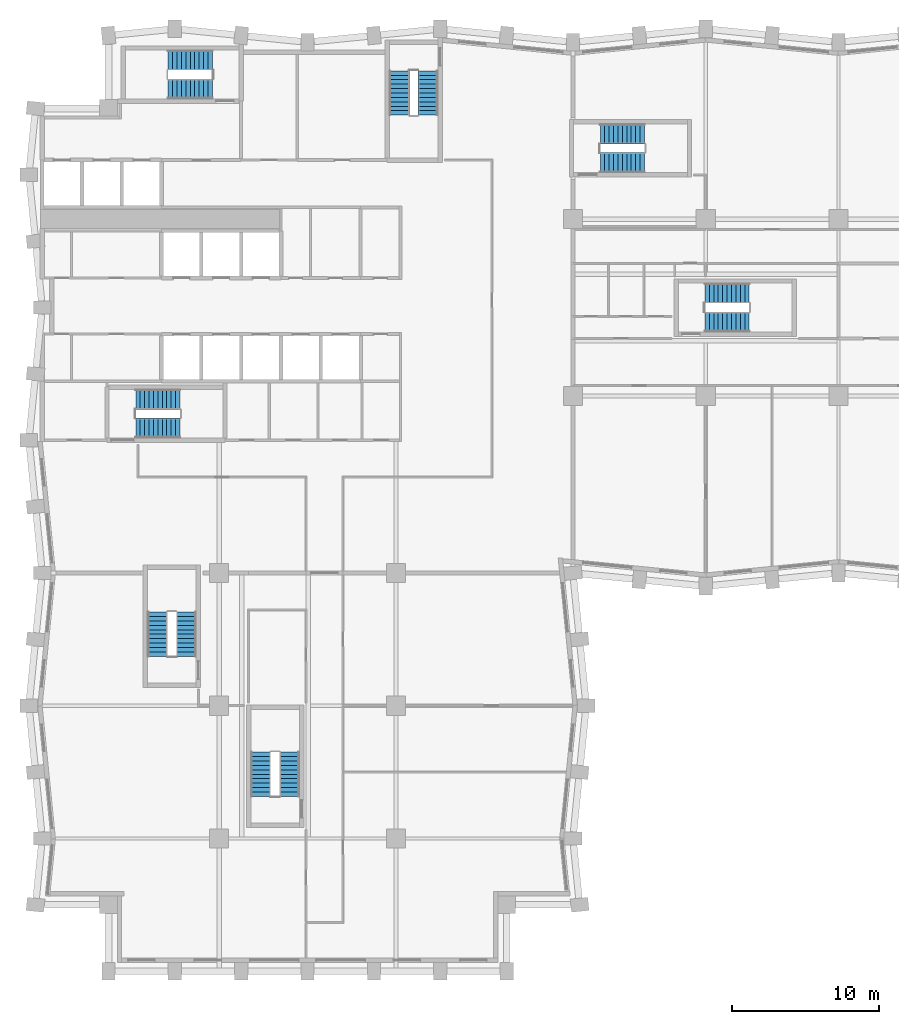
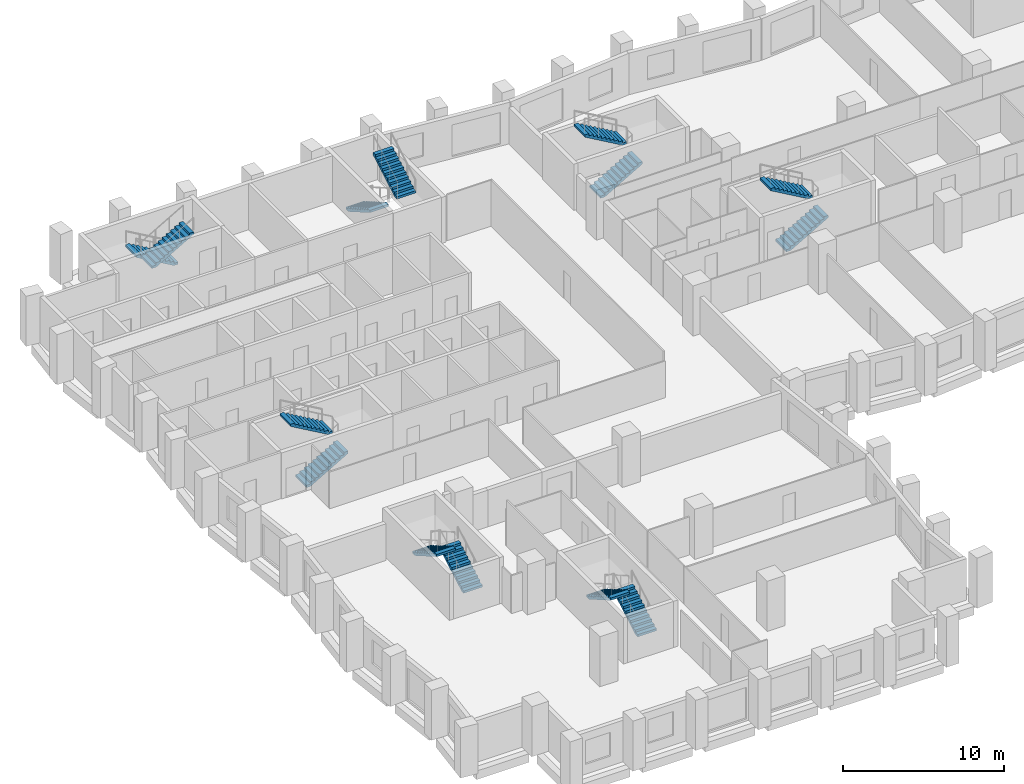
# One storey, part 9 of 11: 14 stair flights, 7 elements without a shape of their own.
"""IFC4 building model written with IfcOpenShell, lengths in metres."""

from ifc_helpers import new_model, si_unit, direction, frame, origin, place, context, subcontext, project, spatial, polyline, outline, extrude, material, type_object, element, aggregate, save


model = new_model("IFC4")

# Units and contexts
model_context = context("Model", 3, precision=1e-05, world=origin(), true_north=direction((0.0, 1.0)))
body_context = subcontext(model_context, "Body", "Model", "MODEL_VIEW")
ifc_project = project(units=[si_unit("LENGTHUNIT", "METRE"), si_unit("AREAUNIT", "SQUARE_METRE"), si_unit("VOLUMEUNIT", "CUBIC_METRE"), si_unit("PLANEANGLEUNIT", "RADIAN"), si_unit("MASSUNIT", "GRAM", prefix="KILO")], contexts=[model_context])

# Site, building, storey
site_placement = place(None, origin())
site = spatial("IfcSite", under=ifc_project, at=site_placement, CompositionType="ELEMENT")
building_placement = place(site_placement, origin())
building = spatial("IfcBuilding", under=site, at=building_placement, Name="Brondeck Convention Tower", CompositionType="ELEMENT")
storey_placement = place(building_placement, frame((0.0, 0.0, 96.10009765625)))
storey = spatial("IfcBuildingStorey", under=building, at=storey_placement, Name="L22", CompositionType="ELEMENT", Elevation=96.10009765625)

# Stair, stair flights
ifc_material = material(Name="Precast concrete C50/60", Category="concrete")
stair_type = type_object("IfcStairType", Name="Core stair 22 risers 172.73 mm riser 300 mm going 1350 wide", PredefinedType="HALF_TURN_STAIR", material=ifc_material)
stair_1_placement = place(storey_placement, origin())
stair_1 = element("IfcStair", 1, at=stair_1_placement, inside=storey, type_object=stair_type, Name="ST-1 L22 stair", PredefinedType="HALF_TURN_STAIR")
stair_flight_type = type_object("IfcStairFlightType", Name="Core stair flight 22 risers 172.73 mm riser 300 mm going 1350 wide", PredefinedType="STRAIGHT", material=ifc_material)
stair_flight_1_placement = place(storey_placement, frame((6.35009765625, 36.824951171875, 0.0), z_axis=(0.0, 0.0, 1.0), x_axis=(1.0, 0.0, 0.0)))
stair_flight_1 = element("IfcStairFlight", 2, at=stair_flight_1_placement, type_object=stair_flight_type, Name="ST-1 flight 1", NumberOfRisers=11, NumberOfTreads=10, PredefinedType="STRAIGHT", RiserHeight=0.172727273, TreadLength=0.3, context=body_context, shape_type="SweptSolid", body=[
    extrude(outline(polyline([(0.0, 0.0), (0.0, 0.172607421875), (0.300048828125, 0.172607421875), (0.300048828125, 0.345458984375), (0.60009765625, 0.345458984375), (0.60009765625, 0.51806640625), (0.89990234375, 0.51806640625), (0.89990234375, 0.69091796875), (1.199951171875, 0.69091796875), (1.199951171875, 0.863525390625), (1.5, 0.863525390625), (1.5, 1.036376953125), (1.800048828125, 1.036376953125), (1.800048828125, 1.208984375), (2.10009765625, 1.208984375), (2.10009765625, 1.3818359375), (2.39990234375, 1.3818359375), (2.39990234375, 1.554443359375), (2.699951171875, 1.554443359375), (2.699951171875, 1.727294921875), (3.0, 1.727294921875), (3.0, 1.89990234375), (3.0, 1.55419921875), (0.300537109375, 0.0), (0.0, 0.0)])), frame((0.0, 0.675048828125, 0.0), z_axis=(0.0, -1.0, 0.0), x_axis=(1.0, 0.0, 0.0)), (0.0, 0.0, 1.0), 1.35009765625),
])
stair_flight_2_placement = place(storey_placement, frame((9.35009765625, 38.77490234375, 1.89990234375), z_axis=(0.0, 0.0, 1.0), x_axis=(-1.0, 0.0, 0.0)))
stair_flight_2 = element("IfcStairFlight", 3, at=stair_flight_2_placement, type_object=stair_flight_type, Name="ST-1 flight 2", NumberOfRisers=11, NumberOfTreads=10, PredefinedType="STRAIGHT", RiserHeight=0.172727273, TreadLength=0.3, context=body_context, shape_type="SweptSolid", body=[
    extrude(outline(polyline([(0.0, 0.0), (0.0, 0.172607421875), (0.300048828125, 0.172607421875), (0.300048828125, 0.345458984375), (0.60009765625, 0.345458984375), (0.60009765625, 0.51806640625), (0.89990234375, 0.51806640625), (0.89990234375, 0.69091796875), (1.199951171875, 0.69091796875), (1.199951171875, 0.863525390625), (1.5, 0.863525390625), (1.5, 1.036376953125), (1.800048828125, 1.036376953125), (1.800048828125, 1.208984375), (2.10009765625, 1.208984375), (2.10009765625, 1.3818359375), (2.39990234375, 1.3818359375), (2.39990234375, 1.554443359375), (2.699951171875, 1.554443359375), (2.699951171875, 1.727294921875), (3.0, 1.727294921875), (3.0, 1.89990234375), (3.0, 1.55419921875), (0.300537109375, 0.0), (0.0, 0.0)])), frame((0.0, 0.675048828125, 0.0), z_axis=(0.0, -1.0, 0.0), x_axis=(1.0, 0.0, 0.0)), (0.0, 0.0, 1.0), 1.35009765625),
])
aggregate(stair_1, [stair_flight_1, stair_flight_2])

stair_2_placement = place(storey_placement, origin())
stair_2 = element("IfcStair", 4, at=stair_2_placement, inside=storey, type_object=stair_type, Name="ST-2 L22 stair", PredefinedType="HALF_TURN_STAIR")
stair_flight_3_placement = place(storey_placement, frame((24.22509765625, 61.050048828125, 0.0), z_axis=(0.0, 0.0, 1.0), x_axis=(0.0, -1.0, 0.0)))
stair_flight_3 = element("IfcStairFlight", 5, at=stair_flight_3_placement, type_object=stair_flight_type, Name="ST-2 flight 1", NumberOfRisers=11, NumberOfTreads=10, PredefinedType="STRAIGHT", RiserHeight=0.172727273, TreadLength=0.3, context=body_context, shape_type="SweptSolid", body=[
    extrude(outline(polyline([(0.0, 0.0), (0.0, 0.172607421875), (0.300048828125, 0.172607421875), (0.300048828125, 0.345458984375), (0.60009765625, 0.345458984375), (0.60009765625, 0.51806640625), (0.89990234375, 0.51806640625), (0.89990234375, 0.69091796875), (1.199951171875, 0.69091796875), (1.199951171875, 0.863525390625), (1.5, 0.863525390625), (1.5, 1.036376953125), (1.800048828125, 1.036376953125), (1.800048828125, 1.208984375), (2.10009765625, 1.208984375), (2.10009765625, 1.3818359375), (2.39990234375, 1.3818359375), (2.39990234375, 1.554443359375), (2.699951171875, 1.554443359375), (2.699951171875, 1.727294921875), (3.0, 1.727294921875), (3.0, 1.89990234375), (3.0, 1.55419921875), (0.300537109375, 0.0), (0.0, 0.0)])), frame((0.0, 0.675048828125, 0.0), z_axis=(0.0, -1.0, 0.0), x_axis=(1.0, 0.0, 0.0)), (0.0, 0.0, 1.0), 1.35009765625),
])
stair_flight_4_placement = place(storey_placement, frame((26.175048828125, 58.050048828125, 1.89990234375), z_axis=(0.0, 0.0, 1.0), x_axis=(0.0, 1.0, 0.0)))
stair_flight_4 = element("IfcStairFlight", 6, at=stair_flight_4_placement, type_object=stair_flight_type, Name="ST-2 flight 2", NumberOfRisers=11, NumberOfTreads=10, PredefinedType="STRAIGHT", RiserHeight=0.172727273, TreadLength=0.3, context=body_context, shape_type="SweptSolid", body=[
    extrude(outline(polyline([(0.0, 0.0), (0.0, 0.172607421875), (0.300048828125, 0.172607421875), (0.300048828125, 0.345458984375), (0.60009765625, 0.345458984375), (0.60009765625, 0.51806640625), (0.89990234375, 0.51806640625), (0.89990234375, 0.69091796875), (1.199951171875, 0.69091796875), (1.199951171875, 0.863525390625), (1.5, 0.863525390625), (1.5, 1.036376953125), (1.800048828125, 1.036376953125), (1.800048828125, 1.208984375), (2.10009765625, 1.208984375), (2.10009765625, 1.3818359375), (2.39990234375, 1.3818359375), (2.39990234375, 1.554443359375), (2.699951171875, 1.554443359375), (2.699951171875, 1.727294921875), (3.0, 1.727294921875), (3.0, 1.89990234375), (3.0, 1.55419921875), (0.300537109375, 0.0), (0.0, 0.0)])), frame((0.0, 0.675048828125, 0.0), z_axis=(0.0, -1.0, 0.0), x_axis=(1.0, 0.0, 0.0)), (0.0, 0.0, 1.0), 1.35009765625),
])
aggregate(stair_2, [stair_flight_3, stair_flight_4])

stair_3_placement = place(storey_placement, origin())
stair_3 = element("IfcStair", 7, at=stair_3_placement, inside=storey, type_object=stair_type, Name="ST-3 L22 stair", PredefinedType="HALF_TURN_STAIR")
stair_flight_5_placement = place(storey_placement, frame((11.550048828125, 61.77490234375, 0.0), z_axis=(0.0, 0.0, 1.0), x_axis=(-1.0, 0.0, 0.0)))
stair_flight_5 = element("IfcStairFlight", 8, at=stair_flight_5_placement, type_object=stair_flight_type, Name="ST-3 flight 1", NumberOfRisers=11, NumberOfTreads=10, PredefinedType="STRAIGHT", RiserHeight=0.172727273, TreadLength=0.3, context=body_context, shape_type="SweptSolid", body=[
    extrude(outline(polyline([(0.0, 0.0), (0.0, 0.172607421875), (0.300048828125, 0.172607421875), (0.300048828125, 0.345458984375), (0.60009765625, 0.345458984375), (0.60009765625, 0.51806640625), (0.89990234375, 0.51806640625), (0.89990234375, 0.69091796875), (1.199951171875, 0.69091796875), (1.199951171875, 0.863525390625), (1.5, 0.863525390625), (1.5, 1.036376953125), (1.800048828125, 1.036376953125), (1.800048828125, 1.208984375), (2.10009765625, 1.208984375), (2.10009765625, 1.3818359375), (2.39990234375, 1.3818359375), (2.39990234375, 1.554443359375), (2.699951171875, 1.554443359375), (2.699951171875, 1.727294921875), (3.0, 1.727294921875), (3.0, 1.89990234375), (3.0, 1.55419921875), (0.300537109375, 0.0), (0.0, 0.0)])), frame((0.0, 0.675048828125, 0.0), z_axis=(0.0, -1.0, 0.0), x_axis=(1.0, 0.0, 0.0)), (0.0, 0.0, 1.0), 1.35009765625),
])
stair_flight_6_placement = place(storey_placement, frame((8.550048828125, 59.824951171875, 1.89990234375), z_axis=(0.0, 0.0, 1.0), x_axis=(1.0, 0.0, 0.0)))
stair_flight_6 = element("IfcStairFlight", 9, at=stair_flight_6_placement, type_object=stair_flight_type, Name="ST-3 flight 2", NumberOfRisers=11, NumberOfTreads=10, PredefinedType="STRAIGHT", RiserHeight=0.172727273, TreadLength=0.3, context=body_context, shape_type="SweptSolid", body=[
    extrude(outline(polyline([(0.0, 0.0), (0.0, 0.172607421875), (0.300048828125, 0.172607421875), (0.300048828125, 0.345458984375), (0.60009765625, 0.345458984375), (0.60009765625, 0.51806640625), (0.89990234375, 0.51806640625), (0.89990234375, 0.69091796875), (1.199951171875, 0.69091796875), (1.199951171875, 0.863525390625), (1.5, 0.863525390625), (1.5, 1.036376953125), (1.800048828125, 1.036376953125), (1.800048828125, 1.208984375), (2.10009765625, 1.208984375), (2.10009765625, 1.3818359375), (2.39990234375, 1.3818359375), (2.39990234375, 1.554443359375), (2.699951171875, 1.554443359375), (2.699951171875, 1.727294921875), (3.0, 1.727294921875), (3.0, 1.89990234375), (3.0, 1.55419921875), (0.300537109375, 0.0), (0.0, 0.0)])), frame((0.0, 0.675048828125, 0.0), z_axis=(0.0, -1.0, 0.0), x_axis=(1.0, 0.0, 0.0)), (0.0, 0.0, 1.0), 1.35009765625),
])
aggregate(stair_3, [stair_flight_5, stair_flight_6])

stair_4_placement = place(storey_placement, origin())
stair_4 = element("IfcStair", 10, at=stair_4_placement, inside=storey, type_object=stair_type, Name="ST-AE L22 stair", PredefinedType="HALF_TURN_STAIR")
stair_flight_7_placement = place(storey_placement, frame((37.85009765625, 54.824951171875, 0.0), z_axis=(0.0, 0.0, 1.0), x_axis=(1.0, 0.0, 0.0)))
stair_flight_7 = element("IfcStairFlight", 11, at=stair_flight_7_placement, type_object=stair_flight_type, Name="ST-AE flight 1", NumberOfRisers=11, NumberOfTreads=10, PredefinedType="STRAIGHT", RiserHeight=0.172727273, TreadLength=0.3, context=body_context, shape_type="SweptSolid", body=[
    extrude(outline(polyline([(0.0, 0.0), (0.0, 0.172607421875), (0.300048828125, 0.172607421875), (0.300048828125, 0.345458984375), (0.60009765625, 0.345458984375), (0.60009765625, 0.51806640625), (0.89990234375, 0.51806640625), (0.89990234375, 0.69091796875), (1.199951171875, 0.69091796875), (1.199951171875, 0.863525390625), (1.5, 0.863525390625), (1.5, 1.036376953125), (1.800048828125, 1.036376953125), (1.800048828125, 1.208984375), (2.10009765625, 1.208984375), (2.10009765625, 1.3818359375), (2.39990234375, 1.3818359375), (2.39990234375, 1.554443359375), (2.699951171875, 1.554443359375), (2.699951171875, 1.727294921875), (3.0, 1.727294921875), (3.0, 1.89990234375), (3.0, 1.55419921875), (0.300537109375, 0.0), (0.0, 0.0)])), frame((0.0, 0.675048828125, 0.0), z_axis=(0.0, -1.0, 0.0), x_axis=(1.0, 0.0, 0.0)), (0.0, 0.0, 1.0), 1.35009765625),
])
stair_flight_8_placement = place(storey_placement, frame((40.85009765625, 56.77490234375, 1.89990234375), z_axis=(0.0, 0.0, 1.0), x_axis=(-1.0, 0.0, 0.0)))
stair_flight_8 = element("IfcStairFlight", 12, at=stair_flight_8_placement, type_object=stair_flight_type, Name="ST-AE flight 2", NumberOfRisers=11, NumberOfTreads=10, PredefinedType="STRAIGHT", RiserHeight=0.172727273, TreadLength=0.3, context=body_context, shape_type="SweptSolid", body=[
    extrude(outline(polyline([(0.0, 0.0), (0.0, 0.172607421875), (0.300048828125, 0.172607421875), (0.300048828125, 0.345458984375), (0.60009765625, 0.345458984375), (0.60009765625, 0.51806640625), (0.89990234375, 0.51806640625), (0.89990234375, 0.69091796875), (1.199951171875, 0.69091796875), (1.199951171875, 0.863525390625), (1.5, 0.863525390625), (1.5, 1.036376953125), (1.800048828125, 1.036376953125), (1.800048828125, 1.208984375), (2.10009765625, 1.208984375), (2.10009765625, 1.3818359375), (2.39990234375, 1.3818359375), (2.39990234375, 1.554443359375), (2.699951171875, 1.554443359375), (2.699951171875, 1.727294921875), (3.0, 1.727294921875), (3.0, 1.89990234375), (3.0, 1.55419921875), (0.300537109375, 0.0), (0.0, 0.0)])), frame((0.0, 0.675048828125, 0.0), z_axis=(0.0, -1.0, 0.0), x_axis=(1.0, 0.0, 0.0)), (0.0, 0.0, 1.0), 1.35009765625),
])
aggregate(stair_4, [stair_flight_7, stair_flight_8])

stair_5_placement = place(storey_placement, origin())
stair_5 = element("IfcStair", 13, at=stair_5_placement, inside=storey, type_object=stair_type, Name="ST-BE L22 stair", PredefinedType="HALF_TURN_STAIR")
stair_flight_9_placement = place(storey_placement, frame((9.77490234375, 21.35009765625, 0.0), z_axis=(0.0, 0.0, 1.0), x_axis=(0.0, 1.0, 0.0)))
stair_flight_9 = element("IfcStairFlight", 14, at=stair_flight_9_placement, type_object=stair_flight_type, Name="ST-BE flight 1", NumberOfRisers=11, NumberOfTreads=10, PredefinedType="STRAIGHT", RiserHeight=0.172727273, TreadLength=0.3, context=body_context, shape_type="SweptSolid", body=[
    extrude(outline(polyline([(0.0, 0.0), (0.0, 0.172607421875), (0.300048828125, 0.172607421875), (0.300048828125, 0.345458984375), (0.60009765625, 0.345458984375), (0.60009765625, 0.51806640625), (0.89990234375, 0.51806640625), (0.89990234375, 0.69091796875), (1.199951171875, 0.69091796875), (1.199951171875, 0.863525390625), (1.5, 0.863525390625), (1.5, 1.036376953125), (1.800048828125, 1.036376953125), (1.800048828125, 1.208984375), (2.10009765625, 1.208984375), (2.10009765625, 1.3818359375), (2.39990234375, 1.3818359375), (2.39990234375, 1.554443359375), (2.699951171875, 1.554443359375), (2.699951171875, 1.727294921875), (3.0, 1.727294921875), (3.0, 1.89990234375), (3.0, 1.55419921875), (0.300537109375, 0.0), (0.0, 0.0)])), frame((0.0, 0.675048828125, 0.0), z_axis=(0.0, -1.0, 0.0), x_axis=(1.0, 0.0, 0.0)), (0.0, 0.0, 1.0), 1.35009765625),
])
stair_flight_10_placement = place(storey_placement, frame((7.824951171875, 24.35009765625, 1.89990234375), z_axis=(0.0, 0.0, 1.0), x_axis=(0.0, -1.0, 0.0)))
stair_flight_10 = element("IfcStairFlight", 15, at=stair_flight_10_placement, type_object=stair_flight_type, Name="ST-BE flight 2", NumberOfRisers=11, NumberOfTreads=10, PredefinedType="STRAIGHT", RiserHeight=0.172727273, TreadLength=0.3, context=body_context, shape_type="SweptSolid", body=[
    extrude(outline(polyline([(0.0, 0.0), (0.0, 0.172607421875), (0.300048828125, 0.172607421875), (0.300048828125, 0.345458984375), (0.60009765625, 0.345458984375), (0.60009765625, 0.51806640625), (0.89990234375, 0.51806640625), (0.89990234375, 0.69091796875), (1.199951171875, 0.69091796875), (1.199951171875, 0.863525390625), (1.5, 0.863525390625), (1.5, 1.036376953125), (1.800048828125, 1.036376953125), (1.800048828125, 1.208984375), (2.10009765625, 1.208984375), (2.10009765625, 1.3818359375), (2.39990234375, 1.3818359375), (2.39990234375, 1.554443359375), (2.699951171875, 1.554443359375), (2.699951171875, 1.727294921875), (3.0, 1.727294921875), (3.0, 1.89990234375), (3.0, 1.55419921875), (0.300537109375, 0.0), (0.0, 0.0)])), frame((0.0, 0.675048828125, 0.0), z_axis=(0.0, -1.0, 0.0), x_axis=(1.0, 0.0, 0.0)), (0.0, 0.0, 1.0), 1.35009765625),
])
aggregate(stair_5, [stair_flight_9, stair_flight_10])

stair_6_placement = place(storey_placement, origin())
stair_6 = element("IfcStair", 16, at=stair_6_placement, inside=storey, type_object=stair_type, Name="ST-AF L22 stair", PredefinedType="HALF_TURN_STAIR")
stair_flight_11_placement = place(storey_placement, frame((44.949951171875, 44.02490234375, 0.0), z_axis=(0.0, 0.0, 1.0), x_axis=(1.0, 0.0, 0.0)))
stair_flight_11 = element("IfcStairFlight", 17, at=stair_flight_11_placement, type_object=stair_flight_type, Name="ST-AF flight 1", NumberOfRisers=11, NumberOfTreads=10, PredefinedType="STRAIGHT", RiserHeight=0.172727273, TreadLength=0.3, context=body_context, shape_type="SweptSolid", body=[
    extrude(outline(polyline([(0.0, 0.0), (0.0, 0.172607421875), (0.300048828125, 0.172607421875), (0.300048828125, 0.345458984375), (0.60009765625, 0.345458984375), (0.60009765625, 0.51806640625), (0.89990234375, 0.51806640625), (0.89990234375, 0.69091796875), (1.199951171875, 0.69091796875), (1.199951171875, 0.863525390625), (1.5, 0.863525390625), (1.5, 1.036376953125), (1.800048828125, 1.036376953125), (1.800048828125, 1.208984375), (2.10009765625, 1.208984375), (2.10009765625, 1.3818359375), (2.39990234375, 1.3818359375), (2.39990234375, 1.554443359375), (2.699951171875, 1.554443359375), (2.699951171875, 1.727294921875), (3.0, 1.727294921875), (3.0, 1.89990234375), (3.0, 1.55419921875), (0.300537109375, 0.0), (0.0, 0.0)])), frame((0.0, 0.675048828125, 0.0), z_axis=(0.0, -1.0, 0.0), x_axis=(1.0, 0.0, 0.0)), (0.0, 0.0, 1.0), 1.35009765625),
])
stair_flight_12_placement = place(storey_placement, frame((47.949951171875, 45.97509765625, 1.89990234375), z_axis=(0.0, 0.0, 1.0), x_axis=(-1.0, 0.0, 0.0)))
stair_flight_12 = element("IfcStairFlight", 18, at=stair_flight_12_placement, type_object=stair_flight_type, Name="ST-AF flight 2", NumberOfRisers=11, NumberOfTreads=10, PredefinedType="STRAIGHT", RiserHeight=0.172727273, TreadLength=0.3, context=body_context, shape_type="SweptSolid", body=[
    extrude(outline(polyline([(0.0, 0.0), (0.0, 0.172607421875), (0.300048828125, 0.172607421875), (0.300048828125, 0.345458984375), (0.60009765625, 0.345458984375), (0.60009765625, 0.51806640625), (0.89990234375, 0.51806640625), (0.89990234375, 0.69091796875), (1.199951171875, 0.69091796875), (1.199951171875, 0.863525390625), (1.5, 0.863525390625), (1.5, 1.036376953125), (1.800048828125, 1.036376953125), (1.800048828125, 1.208984375), (2.10009765625, 1.208984375), (2.10009765625, 1.3818359375), (2.39990234375, 1.3818359375), (2.39990234375, 1.554443359375), (2.699951171875, 1.554443359375), (2.699951171875, 1.727294921875), (3.0, 1.727294921875), (3.0, 1.89990234375), (3.0, 1.55419921875), (0.300537109375, 0.0), (0.0, 0.0)])), frame((0.0, 0.675048828125, 0.0), z_axis=(0.0, -1.0, 0.0), x_axis=(1.0, 0.0, 0.0)), (0.0, 0.0, 1.0), 1.35009765625),
])
aggregate(stair_6, [stair_flight_11, stair_flight_12])

stair_7_placement = place(storey_placement, origin())
stair_7 = element("IfcStair", 19, at=stair_7_placement, inside=storey, type_object=stair_type, Name="ST-BF L22 stair", PredefinedType="HALF_TURN_STAIR")
stair_flight_13_placement = place(storey_placement, frame((16.77490234375, 11.85009765625, 0.0), z_axis=(0.0, 0.0, 1.0), x_axis=(0.0, 1.0, 0.0)))
stair_flight_13 = element("IfcStairFlight", 20, at=stair_flight_13_placement, type_object=stair_flight_type, Name="ST-BF flight 1", NumberOfRisers=11, NumberOfTreads=10, PredefinedType="STRAIGHT", RiserHeight=0.172727273, TreadLength=0.3, context=body_context, shape_type="SweptSolid", body=[
    extrude(outline(polyline([(0.0, 0.0), (0.0, 0.172607421875), (0.300048828125, 0.172607421875), (0.300048828125, 0.345458984375), (0.60009765625, 0.345458984375), (0.60009765625, 0.51806640625), (0.89990234375, 0.51806640625), (0.89990234375, 0.69091796875), (1.199951171875, 0.69091796875), (1.199951171875, 0.863525390625), (1.5, 0.863525390625), (1.5, 1.036376953125), (1.800048828125, 1.036376953125), (1.800048828125, 1.208984375), (2.10009765625, 1.208984375), (2.10009765625, 1.3818359375), (2.39990234375, 1.3818359375), (2.39990234375, 1.554443359375), (2.699951171875, 1.554443359375), (2.699951171875, 1.727294921875), (3.0, 1.727294921875), (3.0, 1.89990234375), (3.0, 1.55419921875), (0.300537109375, 0.0), (0.0, 0.0)])), frame((0.0, 0.675048828125, 0.0), z_axis=(0.0, -1.0, 0.0), x_axis=(1.0, 0.0, 0.0)), (0.0, 0.0, 1.0), 1.35009765625),
])
stair_flight_14_placement = place(storey_placement, frame((14.824951171875, 14.85009765625, 1.89990234375), z_axis=(0.0, 0.0, 1.0), x_axis=(0.0, -1.0, 0.0)))
stair_flight_14 = element("IfcStairFlight", 21, at=stair_flight_14_placement, type_object=stair_flight_type, Name="ST-BF flight 2", NumberOfRisers=11, NumberOfTreads=10, PredefinedType="STRAIGHT", RiserHeight=0.172727273, TreadLength=0.3, context=body_context, shape_type="SweptSolid", body=[
    extrude(outline(polyline([(0.0, 0.0), (0.0, 0.172607421875), (0.300048828125, 0.172607421875), (0.300048828125, 0.345458984375), (0.60009765625, 0.345458984375), (0.60009765625, 0.51806640625), (0.89990234375, 0.51806640625), (0.89990234375, 0.69091796875), (1.199951171875, 0.69091796875), (1.199951171875, 0.863525390625), (1.5, 0.863525390625), (1.5, 1.036376953125), (1.800048828125, 1.036376953125), (1.800048828125, 1.208984375), (2.10009765625, 1.208984375), (2.10009765625, 1.3818359375), (2.39990234375, 1.3818359375), (2.39990234375, 1.554443359375), (2.699951171875, 1.554443359375), (2.699951171875, 1.727294921875), (3.0, 1.727294921875), (3.0, 1.89990234375), (3.0, 1.55419921875), (0.300537109375, 0.0), (0.0, 0.0)])), frame((0.0, 0.675048828125, 0.0), z_axis=(0.0, -1.0, 0.0), x_axis=(1.0, 0.0, 0.0)), (0.0, 0.0, 1.0), 1.35009765625),
])
aggregate(stair_7, [stair_flight_13, stair_flight_14])

save(model, "model.ifc")
